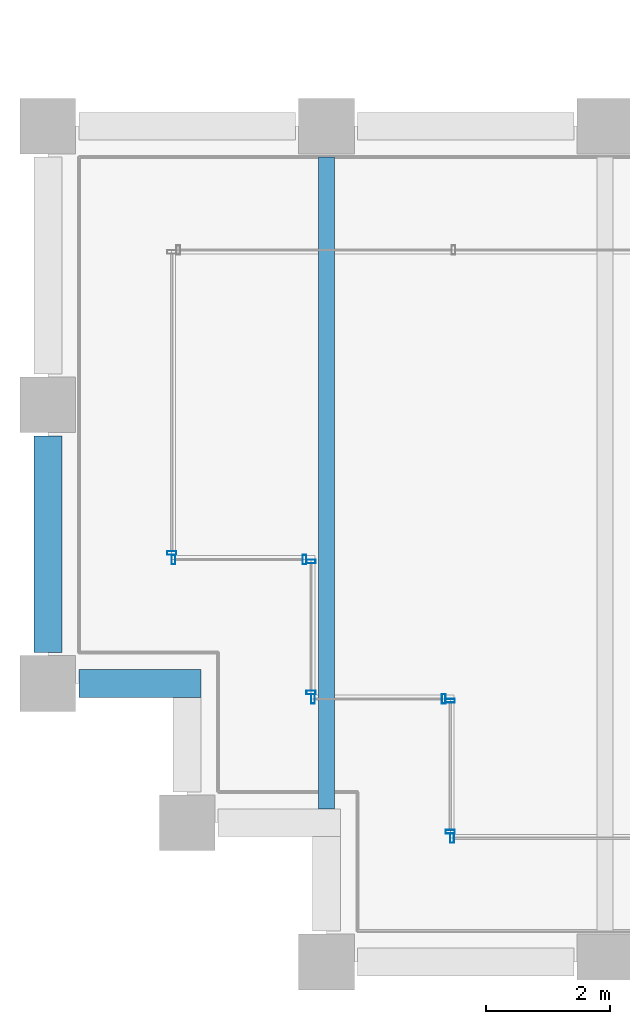
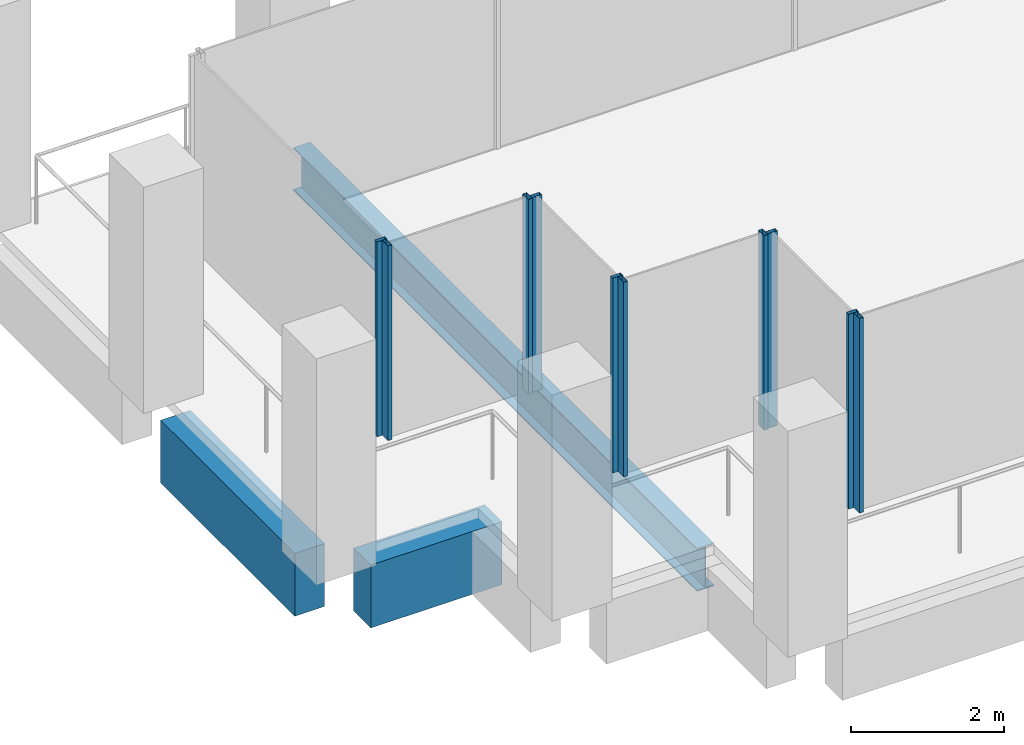
# One storey, part 2 of 44: 10 members, 3 beams, 6 elements without a shape of their own.
"""IFC4 building model written with IfcOpenShell, lengths in metres."""

import ifcopenshell
import ifcopenshell.guid

model = None  # the IFC model being written
_history = None  # IfcOwnerHistory: only IFC2X3 demands one
_inside = {}  # id of a spatial element -> (the spatial element, [elements in it])
_under = {}  # id of a project, library or spatial element -> (it, [spatial elements below it])
_declared = {}  # id of a project -> (the project, [libraries it declares])
_typed = {}  # id of a type object -> (the type object, [elements of that type])
_made_of = {}  # id of a material, layer set ... -> (it, [elements and type objects made of it])


def new_model(schema):
    """Start an empty IFC model of exactly this schema.

    Asked for "IFC4X3", IfcOpenShell would pick the latest addendum, in which some entities
    have other attributes; the version numbers below select the first issue.
    IFC2X3 requires an IfcOwnerHistory on every rooted entity: one is made here for all.
    """
    global model, _history
    if schema == "IFC4X3":
        model = ifcopenshell.file(schema_version=(4, 3, 0, 0))
    else:
        model = ifcopenshell.file(schema=schema)
    _inside.clear()
    _under.clear()
    _declared.clear()
    _typed.clear()
    _made_of.clear()
    _history = None
    if model.schema == "IFC2X3":
        org = make("IfcOrganization", Name="unknown")
        user = make(
            "IfcPersonAndOrganization",
            ThePerson=make("IfcPerson", FamilyName="unknown"),
            TheOrganization=org,
        )
        app = make(
            "IfcApplication",
            ApplicationDeveloper=org,
            Version="unknown",
            ApplicationFullName="unknown",
            ApplicationIdentifier="unknown",
        )
        _history = make(
            "IfcOwnerHistory",
            OwningUser=user,
            OwningApplication=app,
            ChangeAction="ADDED",
            CreationDate=0,
        )
    return model


def make(cls, **values):
    """One entity of the class cls with the attributes given. An attribute that is None is left unset."""
    return model.create_entity(
        cls, **{name: value for name, value in values.items() if value is not None}
    )


def rooted(cls, **values):
    """An entity with a GlobalId (a new one), such as an element, a storey or a relation."""
    return make(cls, GlobalId=ifcopenshell.guid.new(), OwnerHistory=_history, **values)


def si_unit(unit_type, name, prefix=None):
    """IfcSIUnit, for example si_unit("LENGTHUNIT", "METRE", prefix="MILLI")."""
    return make("IfcSIUnit", UnitType=unit_type, Prefix=prefix, Name=name)


def assignment(units):
    """IfcUnitAssignment: the units of a project."""
    return None if units is None else make("IfcUnitAssignment", Units=units)


def point(xyz):
    """IfcCartesianPoint."""
    return None if xyz is None else make("IfcCartesianPoint", Coordinates=xyz)


def direction(xyz):
    """IfcDirection."""
    return None if xyz is None else make("IfcDirection", DirectionRatios=xyz)


def frame(location, z_axis=None, x_axis=None):
    """IfcAxis2Placement3D, a coordinate frame: its origin and axes. An axis left out is left unset."""
    return make(
        "IfcAxis2Placement3D",
        Location=point(location),
        Axis=direction(z_axis),
        RefDirection=direction(x_axis),
    )


def frame_2d(location, x_axis=None):
    """IfcAxis2Placement2D, a coordinate frame in the plane: its origin and x axis."""
    return make(
        "IfcAxis2Placement2D", Location=point(location), RefDirection=direction(x_axis)
    )


def origin():
    """The frame at (0, 0, 0) with its axes left unset."""
    return frame((0.0, 0.0, 0.0))


def origin_2d():
    """The frame at (0, 0) in the plane with its x axis left unset."""
    return frame_2d((0.0, 0.0))


def place(relative_to, where):
    """IfcLocalPlacement: puts the frame where relative to a parent placement (None: the world)."""
    return make(
        "IfcLocalPlacement", PlacementRelTo=relative_to, RelativePlacement=where
    )


def context(
    kind, dimensions, precision=None, world=None, true_north=None, identifier=None
):
    """IfcGeometricRepresentationContext, for example the 3D "Model" context."""
    return make(
        "IfcGeometricRepresentationContext",
        ContextIdentifier=identifier,
        ContextType=kind,
        CoordinateSpaceDimension=dimensions,
        Precision=precision,
        WorldCoordinateSystem=world,
        TrueNorth=true_north,
    )


def subcontext(parent, identifier, kind, view, scale=None):
    """IfcGeometricRepresentationSubContext, for example "Body" below "Model"."""
    return make(
        "IfcGeometricRepresentationSubContext",
        ContextIdentifier=identifier,
        ContextType=kind,
        ParentContext=parent,
        TargetScale=scale,
        TargetView=view,
    )


def project(units=None, contexts=None):
    """IfcProject with its units and contexts."""
    return rooted(
        "IfcProject",
        Name="project",
        RepresentationContexts=contexts,
        UnitsInContext=assignment(units),
    )


def spatial(cls, under=None, at=None, **own):
    """A site, building, storey or space (cls), placed at a placement, below another one or the project."""
    s = rooted(cls, ObjectPlacement=at, **own)
    if under is not None:
        _under.setdefault(under.id(), (under, []))[1].append(s)
    return s


def profile(cls, at=None, kind="AREA", **sizes):
    """A parametric profile (cls). Its sizes go by their IFC names, for example OverallWidth=200.0."""
    return make(cls, ProfileType=kind, Position=at, **sizes)


def rectangle(**sizes):
    """IfcRectangleProfileDef."""
    return profile("IfcRectangleProfileDef", **sizes)


def hollow_rectangle(**sizes):
    """IfcRectangleHollowProfileDef."""
    return profile("IfcRectangleHollowProfileDef", **sizes)


def i_section(**sizes):
    """IfcIShapeProfileDef."""
    return profile("IfcIShapeProfileDef", **sizes)


def extrude(swept, where, along, depth):
    """IfcExtrudedAreaSolid: the profile swept, set in the frame where, extruded along a direction by depth."""
    return make(
        "IfcExtrudedAreaSolid",
        SweptArea=swept,
        Position=where,
        ExtrudedDirection=direction(along),
        Depth=depth,
    )


def shape(context_of_items, identifier, shape_type, items):
    """IfcShapeRepresentation: the items that make up one representation, for example the "Body"."""
    return make(
        "IfcShapeRepresentation",
        ContextOfItems=context_of_items,
        RepresentationIdentifier=identifier,
        RepresentationType=shape_type,
        Items=items,
    )


def material(Name=None, Category=None):
    """IfcMaterial."""
    return make("IfcMaterial", Name=Name, Category=Category)


def material_profile(
    of_material, cross_section, Name=None, Category=None, Priority=None
):
    """IfcMaterialProfile: a cross section and its material."""
    return make(
        "IfcMaterialProfile",
        Name=Name,
        Material=of_material,
        Profile=cross_section,
        Priority=Priority,
        Category=Category,
    )


def profile_set(profiles, Name=None, composite=None):
    """IfcMaterialProfileSet."""
    return make(
        "IfcMaterialProfileSet",
        Name=Name,
        MaterialProfiles=profiles,
        CompositeProfile=composite,
    )


def made_of(thing, what):
    """Note that an element or type object is made of a material, layer set ...; save() writes the relation."""
    if what is not None:
        _made_of.setdefault(what.id(), (what, []))[1].append(thing)
    return thing


def type_object(cls, material=None, **own):
    """A type object (cls), such as IfcWallType, which elements share."""
    return made_of(rooted(cls, **own), material)


def element(
    cls,
    number,
    at=None,
    inside=None,
    cuts=None,
    type_object=None,
    material=None,
    context=None,
    identifier="Body",
    shape_type=None,
    held_by="IfcProductDefinitionShape",
    body=None,
    shapes=None,
    **own,
):
    """One element of the class cls, such as IfcWall. Its Tag is "e" and its number.

    at: its placement. inside: the storey or other place that contains it. cuts: it is an
    opening in that element (IfcRelVoidsElement). A single representation is given by context,
    identifier, shape_type and body (its items); several are given by shapes. held_by: the class
    of the entity that holds the representations. save() writes the other relations.
    """
    e = rooted(cls, Tag="e%d" % number, ObjectPlacement=at, **own)
    if body is not None:
        shapes = [shape(context, identifier, shape_type, body)]
    if shapes is not None:
        e.Representation = make(held_by, Representations=shapes)
    if inside is not None:
        _inside.setdefault(inside.id(), (inside, []))[1].append(e)
    if cuts is not None:
        rooted(
            "IfcRelVoidsElement", RelatingBuildingElement=cuts, RelatedOpeningElement=e
        )
    if type_object is not None:
        _typed.setdefault(type_object.id(), (type_object, []))[1].append(e)
    return made_of(e, material)


def aggregate(whole, parts):
    """IfcRelAggregates: a whole, such as a stair, and the parts it consists of."""
    return rooted("IfcRelAggregates", RelatingObject=whole, RelatedObjects=parts)


def save(model, path):
    """Write the relations noted so far, then the file.

    IfcRelAggregates (storeys below a building ...), IfcRelContainedInSpatialStructure (elements
    in a storey), IfcRelDefinesByType, IfcRelAssociatesMaterial and IfcRelDeclares: one each for
    every whole, place, type object, material and project.
    """
    for whole, parts in _under.values():
        aggregate(whole, parts)
    for where, things in _inside.values():
        rooted(
            "IfcRelContainedInSpatialStructure",
            RelatedElements=things,
            RelatingStructure=where,
        )
    for kind, things in _typed.values():
        rooted("IfcRelDefinesByType", RelatedObjects=things, RelatingType=kind)
    for what, things in _made_of.values():
        rooted("IfcRelAssociatesMaterial", RelatedObjects=things, RelatingMaterial=what)
    for by, libraries in _declared.values():
        rooted("IfcRelDeclares", RelatingContext=by, RelatedDefinitions=libraries)
    model.write(path)


model = new_model("IFC4")

# Units and contexts
model_context = context("Model", 3, precision=1e-05, world=origin(), true_north=direction((0.0, 1.0)))
body_context = subcontext(model_context, "Body", "Model", "MODEL_VIEW")
ifc_project = project(units=[si_unit("LENGTHUNIT", "METRE"), si_unit("AREAUNIT", "SQUARE_METRE"), si_unit("VOLUMEUNIT", "CUBIC_METRE"), si_unit("PLANEANGLEUNIT", "RADIAN"), si_unit("MASSUNIT", "GRAM", prefix="KILO")], contexts=[model_context])

# Site, building, storey
site_placement = place(None, origin())
site = spatial("IfcSite", under=ifc_project, at=site_placement, CompositionType="ELEMENT")
building_placement = place(site_placement, origin())
building = spatial("IfcBuilding", under=site, at=building_placement, Name="Altepetl Exchange Towers", CompositionType="ELEMENT")
storey_placement = place(building_placement, frame((0.0, 0.0, 143.800048828125)))
storey = spatial("IfcBuildingStorey", under=building, at=storey_placement, Name="L35", CompositionType="ELEMENT", Elevation=143.800048828125)

# Beam
ifc_material_1 = material(Name="Steel S355", Category="steel")
ifc_material_profile_1 = material_profile(ifc_material_1, i_section(OverallWidth=0.25390625, OverallDepth=0.68408203125, WebThickness=0.012451171875, FlangeThickness=0.018798828125, at=origin_2d()), Name="W27X94")
ifc_profile_set_1 = profile_set([ifc_material_profile_1], Name="Steel S355")
beam_type_1 = type_object("IfcBeamType", Name="Floor beam W27X94", PredefinedType="BEAM", material=ifc_profile_set_1)
beam_1_placement = place(storey_placement, frame((31.5, 29.47509765625, -0.491943359375), z_axis=(0.0, 1.0, 0.0), x_axis=(-1.0, 0.0, 0.0)))
element("IfcBeam", 1, at=beam_1_placement, inside=storey, type_object=beam_type_1, Name="bm:A:L35:012", PredefinedType="BEAM", context=body_context, shape_type="SweptSolid", body=[
    extrude(i_section(OverallWidth=0.25390625, OverallDepth=0.68408203125, WebThickness=0.012451171875, FlangeThickness=0.018798828125, at=origin_2d()), origin(), (0.0, 0.0, 1.0), 10.52490234375),
])

# Curtain wall, member
ifc_material_2 = material(Name="Aluminium 6063-T6 glazing", Category="aluminium")
curtain_wall_type = type_object("IfcCurtainWallType", Name="Loggia glazing system", PredefinedType="NOTDEFINED", material=ifc_material_2)
curtain_wall_1_placement = place(storey_placement, origin())
curtain_wall_1 = element("IfcCurtainWall", 2, at=curtain_wall_1_placement, inside=storey, type_object=curtain_wall_type, Name="CW1 run", PredefinedType="NOTDEFINED")
ifc_material_3 = material(Name="Aluminium 6063-T6", Category="aluminium")
ifc_material_profile_2 = material_profile(ifc_material_3, hollow_rectangle(XDim=0.06005859375, YDim=0.14990234375, WallThickness=0.0029296875, at=origin_2d()), Name="Mullion 60x150 aluminium")
ifc_profile_set_2 = profile_set([ifc_material_profile_2], Name="Aluminium 6063-T6")
member_type = type_object("IfcMemberType", Name="Mullion 60x150 aluminium", PredefinedType="MULLION", material=ifc_profile_set_2)
member_1_placement = place(storey_placement, frame((29.0, 33.60498046875, 0.0), z_axis=(0.0, 0.0, 1.0), x_axis=(0.0, -1.0, 0.0)))
member_1 = element("IfcMember", 3, at=member_1_placement, type_object=member_type, Name="MU1 mullion", PredefinedType="MULLION", context=body_context, shape_type="SweptSolid", body=[
    extrude(hollow_rectangle(XDim=0.06005859375, YDim=0.14990234375, WallThickness=0.0029296875, at=origin_2d()), origin(), (0.0, 0.0, 1.0), 3.099853515625),
])
aggregate(curtain_wall_1, [member_1])

# Curtain wall, members
curtain_wall_2_placement = place(storey_placement, origin())
curtain_wall_2 = element("IfcCurtainWall", 4, at=curtain_wall_2_placement, inside=storey, type_object=curtain_wall_type, Name="CW1 run", PredefinedType="NOTDEFINED")
member_2_placement = place(storey_placement, frame((29.030029296875, 33.5, 0.0)))
member_2 = element("IfcMember", 5, at=member_2_placement, type_object=member_type, Name="MU1 mullion", PredefinedType="MULLION", context=body_context, shape_type="SweptSolid", body=[
    extrude(hollow_rectangle(XDim=0.06005859375, YDim=0.14990234375, WallThickness=0.0029296875, at=origin_2d()), origin(), (0.0, 0.0, 1.0), 3.099853515625),
])
member_3_placement = place(storey_placement, frame((31.14501953125, 33.5, 0.0)))
member_3 = element("IfcMember", 6, at=member_3_placement, type_object=member_type, Name="MU1 mullion", PredefinedType="MULLION", context=body_context, shape_type="SweptSolid", body=[
    extrude(hollow_rectangle(XDim=0.06005859375, YDim=0.14990234375, WallThickness=0.0029296875, at=origin_2d()), origin(), (0.0, 0.0, 1.0), 3.099853515625),
])
aggregate(curtain_wall_2, [member_2, member_3])

curtain_wall_3_placement = place(storey_placement, origin())
curtain_wall_3 = element("IfcCurtainWall", 7, at=curtain_wall_3_placement, inside=storey, type_object=curtain_wall_type, Name="CW1 run", PredefinedType="NOTDEFINED")
member_4_placement = place(storey_placement, frame((31.25, 33.469970703125, 0.0), z_axis=(0.0, 0.0, 1.0), x_axis=(0.0, -1.0, 0.0)))
member_4 = element("IfcMember", 8, at=member_4_placement, type_object=member_type, Name="MU1 mullion", PredefinedType="MULLION", context=body_context, shape_type="SweptSolid", body=[
    extrude(hollow_rectangle(XDim=0.06005859375, YDim=0.14990234375, WallThickness=0.0029296875, at=origin_2d()), origin(), (0.0, 0.0, 1.0), 3.099853515625),
])
member_5_placement = place(storey_placement, frame((31.25, 31.35498046875, 0.0), z_axis=(0.0, 0.0, 1.0), x_axis=(0.0, -1.0, 0.0)))
member_5 = element("IfcMember", 9, at=member_5_placement, type_object=member_type, Name="MU1 mullion", PredefinedType="MULLION", context=body_context, shape_type="SweptSolid", body=[
    extrude(hollow_rectangle(XDim=0.06005859375, YDim=0.14990234375, WallThickness=0.0029296875, at=origin_2d()), origin(), (0.0, 0.0, 1.0), 3.099853515625),
])
aggregate(curtain_wall_3, [member_4, member_5])

curtain_wall_4_placement = place(storey_placement, origin())
curtain_wall_4 = element("IfcCurtainWall", 10, at=curtain_wall_4_placement, inside=storey, type_object=curtain_wall_type, Name="CW1 run", PredefinedType="NOTDEFINED")
member_6_placement = place(storey_placement, frame((31.280029296875, 31.25, 0.0)))
member_6 = element("IfcMember", 11, at=member_6_placement, type_object=member_type, Name="MU1 mullion", PredefinedType="MULLION", context=body_context, shape_type="SweptSolid", body=[
    extrude(hollow_rectangle(XDim=0.06005859375, YDim=0.14990234375, WallThickness=0.0029296875, at=origin_2d()), origin(), (0.0, 0.0, 1.0), 3.099853515625),
])
member_7_placement = place(storey_placement, frame((33.39501953125, 31.25, 0.0)))
member_7 = element("IfcMember", 12, at=member_7_placement, type_object=member_type, Name="MU1 mullion", PredefinedType="MULLION", context=body_context, shape_type="SweptSolid", body=[
    extrude(hollow_rectangle(XDim=0.06005859375, YDim=0.14990234375, WallThickness=0.0029296875, at=origin_2d()), origin(), (0.0, 0.0, 1.0), 3.099853515625),
])
aggregate(curtain_wall_4, [member_6, member_7])

curtain_wall_5_placement = place(storey_placement, origin())
curtain_wall_5 = element("IfcCurtainWall", 13, at=curtain_wall_5_placement, inside=storey, type_object=curtain_wall_type, Name="CW1 run", PredefinedType="NOTDEFINED")
member_8_placement = place(storey_placement, frame((33.5, 31.219970703125, 0.0), z_axis=(0.0, 0.0, 1.0), x_axis=(0.0, -1.0, 0.0)))
member_8 = element("IfcMember", 14, at=member_8_placement, type_object=member_type, Name="MU1 mullion", PredefinedType="MULLION", context=body_context, shape_type="SweptSolid", body=[
    extrude(hollow_rectangle(XDim=0.06005859375, YDim=0.14990234375, WallThickness=0.0029296875, at=origin_2d()), origin(), (0.0, 0.0, 1.0), 3.099853515625),
])
member_9_placement = place(storey_placement, frame((33.5, 29.10498046875, 0.0), z_axis=(0.0, 0.0, 1.0), x_axis=(0.0, -1.0, 0.0)))
member_9 = element("IfcMember", 15, at=member_9_placement, type_object=member_type, Name="MU1 mullion", PredefinedType="MULLION", context=body_context, shape_type="SweptSolid", body=[
    extrude(hollow_rectangle(XDim=0.06005859375, YDim=0.14990234375, WallThickness=0.0029296875, at=origin_2d()), origin(), (0.0, 0.0, 1.0), 3.099853515625),
])
aggregate(curtain_wall_5, [member_8, member_9])

# Curtain wall, member
curtain_wall_6_placement = place(storey_placement, origin())
curtain_wall_6 = element("IfcCurtainWall", 16, at=curtain_wall_6_placement, inside=storey, type_object=curtain_wall_type, Name="CW1 run", PredefinedType="NOTDEFINED")
member_10_placement = place(storey_placement, frame((33.530029296875, 29.0, 0.0)))
member_10 = element("IfcMember", 17, at=member_10_placement, type_object=member_type, Name="MU1 mullion", PredefinedType="MULLION", context=body_context, shape_type="SweptSolid", body=[
    extrude(hollow_rectangle(XDim=0.06005859375, YDim=0.14990234375, WallThickness=0.0029296875, at=origin_2d()), origin(), (0.0, 0.0, 1.0), 3.099853515625),
])
aggregate(curtain_wall_6, [member_10])

# Beams
ifc_material_4 = material(Name="Concrete C50/60 precast with cantera blanca facing", Category="concrete")
ifc_material_profile_3 = material_profile(ifc_material_4, rectangle(XDim=0.449951171875, YDim=1.0, at=origin_2d()), Name="450 x 1000")
ifc_profile_set_3 = profile_set([ifc_material_profile_3], Name="Concrete C50/60 precast with cantera blanca facing")
beam_type_2 = type_object("IfcBeamType", Name="Spandrel beam 450x1000 cantera blanca", PredefinedType="SPANDREL", material=ifc_profile_set_3)
beam_2_placement = place(storey_placement, frame((27.0, 35.5, -0.650146484375), z_axis=(0.0, -1.0, 0.0), x_axis=(1.0, 0.0, 0.0)))
element("IfcBeam", 18, at=beam_2_placement, inside=storey, type_object=beam_type_2, Name="sp:A:L35:037", PredefinedType="SPANDREL", context=body_context, shape_type="SweptSolid", body=[
    extrude(rectangle(XDim=0.449951171875, YDim=1.0, at=origin_2d()), origin(), (0.0, 0.0, 1.0), 3.5),
])
beam_3_placement = place(storey_placement, frame((27.5, 31.5, -0.650146484375), z_axis=(1.0, 0.0, 0.0), x_axis=(0.0, 1.0, 0.0)))
element("IfcBeam", 19, at=beam_3_placement, inside=storey, type_object=beam_type_2, Name="sp:A:L35:038", PredefinedType="SPANDREL", context=body_context, shape_type="SweptSolid", body=[
    extrude(rectangle(XDim=0.449951171875, YDim=1.0, at=origin_2d()), origin(), (0.0, 0.0, 1.0), 1.97509765625),
])

save(model, "model.ifc")
